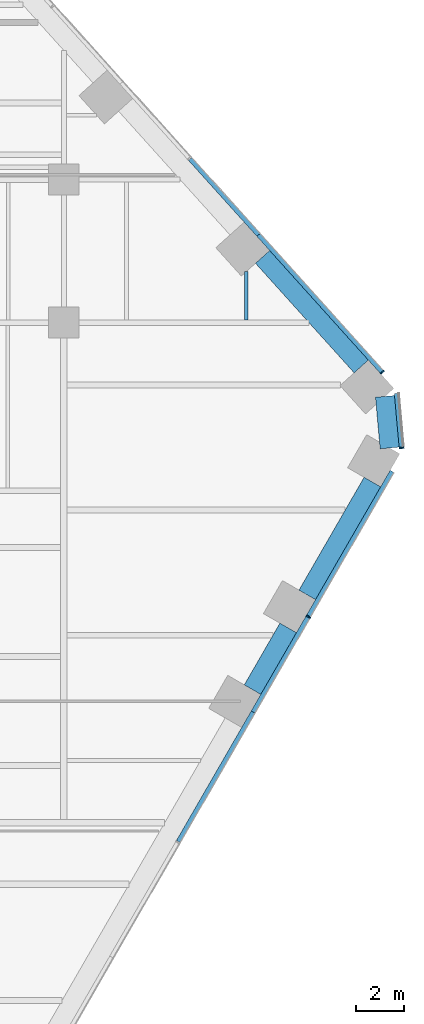
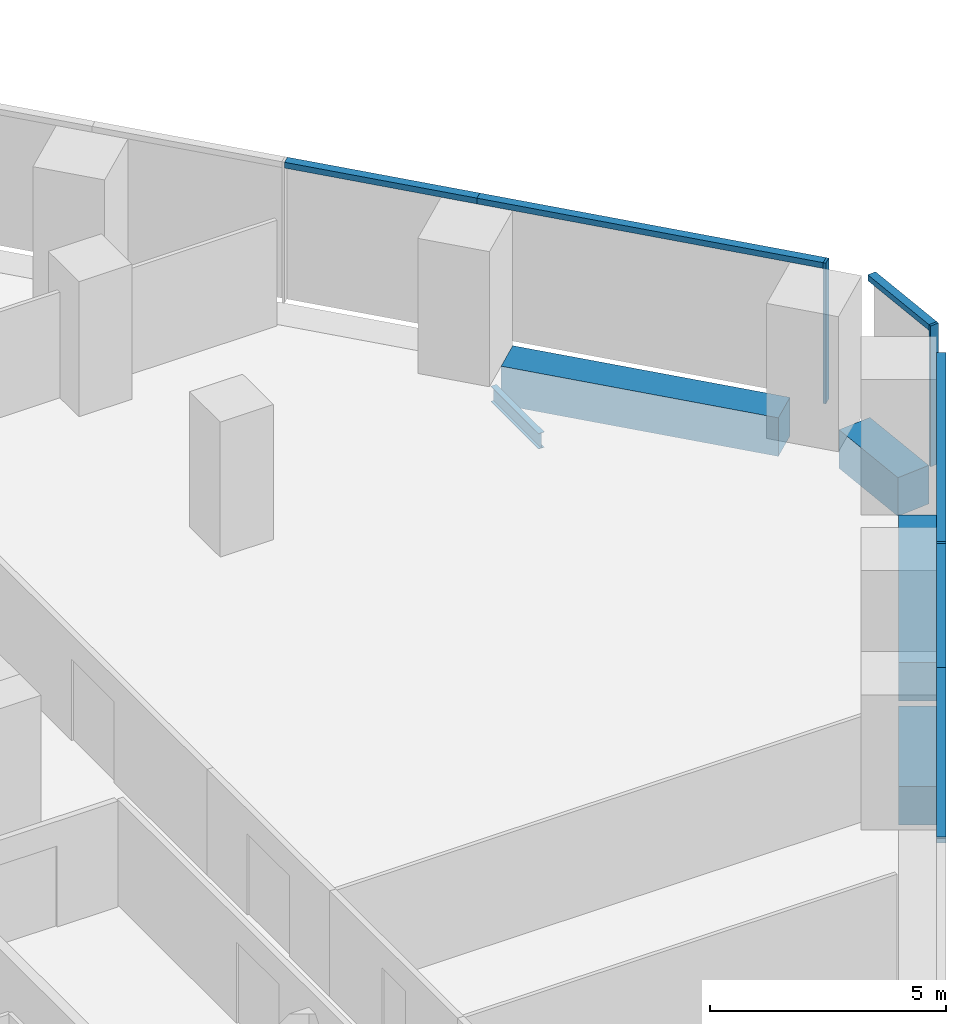
# One storey, part 11 of 21: 9 members, 5 beams, 3 elements without a shape of their own.
"""IFC4 building model written with IfcOpenShell, lengths in metres."""

from ifc_helpers import new_model, si_unit, direction, frame, origin, origin_2d, place, context, subcontext, project, spatial, rectangle, i_section, extrude, material, layer, layer_set, material_profile, profile_set, type_object, element, aggregate, save


model = new_model("IFC4")

# Units and contexts
model_context = context("Model", 3, precision=1e-05, world=origin(), true_north=direction((0.0, 1.0)))
body_context = subcontext(model_context, "Body", "Model", "MODEL_VIEW")
ifc_project = project(units=[si_unit("LENGTHUNIT", "METRE"), si_unit("AREAUNIT", "SQUARE_METRE"), si_unit("VOLUMEUNIT", "CUBIC_METRE"), si_unit("PLANEANGLEUNIT", "RADIAN"), si_unit("MASSUNIT", "GRAM", prefix="KILO")], contexts=[model_context])

# Site, building, storey
site_placement = place(None, origin())
site = spatial("IfcSite", under=ifc_project, at=site_placement, CompositionType="ELEMENT")
building_placement = place(site_placement, origin())
building = spatial("IfcBuilding", under=site, at=building_placement, Name="Isthmus Gate Tower", CompositionType="ELEMENT")
storey_placement = place(building_placement, frame((0.0, 0.0, 102.550048828125)))
storey = spatial("IfcBuildingStorey", under=building, at=storey_placement, Name="L24", CompositionType="ELEMENT", Elevation=102.550048828125)

# Curtain wall, member
ifc_material_1 = material(Name="Aluminium, pale champagne anodised", Category="aluminium")
ifc_layer = layer(ifc_material_1, 0.199951171875)
ifc_layer_set = layer_set([ifc_layer], Name="CW-1 UNITISED CURTAIN WALL 200 DEEP")
curtain_wall_type = type_object("IfcCurtainWallType", Name="CW-1 UNITISED CURTAIN WALL 200 DEEP", PredefinedType="NOTDEFINED", material=ifc_layer_set)
curtain_wall_1_placement = place(storey_placement, origin())
curtain_wall_1 = element("IfcCurtainWall", 1, at=curtain_wall_1_placement, inside=storey, type_object=curtain_wall_type, Name="CW-1 SE L24", PredefinedType="NOTDEFINED")
ifc_material_2 = material(Name="Aluminium, pale champagne anodised", Category="aluminium")
ifc_material_profile_1 = material_profile(ifc_material_2, rectangle(XDim=0.06005859375, YDim=0.199951171875, at=origin_2d()), Name="60x200")
ifc_profile_set_1 = profile_set([ifc_material_profile_1], Name="Aluminium, pale champagne anodised")
member_type_1 = type_object("IfcMemberType", Name="CW-1 MULLION 60 X 200", PredefinedType="MULLION", material=ifc_profile_set_1)
member_1_placement = place(storey_placement, frame((34.267822265625, -4.846435546875, 0.0), z_axis=(0.0, 0.0, 1.0), x_axis=(0.5, 0.866025403784, 0.0)))
member_1 = element("IfcMember", 2, at=member_1_placement, type_object=member_type_1, Name="CW-1 mullion", PredefinedType="MULLION", context=body_context, shape_type="SweptSolid", body=[
    extrude(rectangle(XDim=0.06005859375, YDim=0.199951171875, at=origin_2d()), origin(), (0.0, 0.0, 1.0), 3.64990234375),
])

curtain_wall_2_placement = place(storey_placement, origin())
curtain_wall_2 = element("IfcCurtainWall", 3, at=curtain_wall_2_placement, inside=storey, type_object=curtain_wall_type, Name="CW-1 SE-NE L24", PredefinedType="NOTDEFINED")
member_2_placement = place(storey_placement, frame((38.178955078125, 2.24169921875, 0.0), z_axis=(0.0, 0.0, 1.0), x_axis=(-0.089396669717, 0.995996102123, 0.0)))
member_2 = element("IfcMember", 4, at=member_2_placement, type_object=member_type_1, Name="CW-1 mullion", PredefinedType="MULLION", context=body_context, shape_type="SweptSolid", body=[
    extrude(rectangle(XDim=0.06005859375, YDim=0.199951171875, at=origin_2d()), origin(), (0.0, 0.0, 1.0), 3.64990234375),
])

curtain_wall_3_placement = place(storey_placement, origin())
curtain_wall_3 = element("IfcCurtainWall", 5, at=curtain_wall_3_placement, inside=storey, type_object=curtain_wall_type, Name="CW-1 NE L24", PredefinedType="NOTDEFINED")
member_3_placement = place(storey_placement, frame((37.37353515625, 5.419921875, 0.0), z_axis=(0.0, 0.0, 1.0), x_axis=(-0.669130606359, 0.743144825477, 0.0)))
member_3 = element("IfcMember", 6, at=member_3_placement, type_object=member_type_1, Name="CW-1 mullion", PredefinedType="MULLION", context=body_context, shape_type="SweptSolid", body=[
    extrude(rectangle(XDim=0.06005859375, YDim=0.199951171875, at=origin_2d()), origin(), (0.0, 0.0, 1.0), 3.64990234375),
])

# Member
ifc_material_3 = material(Name="Aluminium, pale champagne anodised", Category="aluminium")
ifc_material_profile_2 = material_profile(ifc_material_3, rectangle(XDim=0.199951171875, YDim=0.14990234375, at=origin_2d()), Name="200x150")
ifc_profile_set_2 = profile_set([ifc_material_profile_2], Name="Aluminium, pale champagne anodised")
member_type_2 = type_object("IfcMemberType", Name="CW-1 TRANSOM 200 X 150", PredefinedType="USERDEFINED", material=ifc_profile_set_2)
member_4_placement = place(storey_placement, frame((28.817138671875, -14.287353515625, 3.574951171875), z_axis=(0.499995104884, 0.866028229963, 0.0), x_axis=(-0.866028229963, 0.499995104884, 0.0)))
member_4 = element("IfcMember", 7, at=member_4_placement, type_object=member_type_2, Name="CW-1 transom", ObjectType="TRANSOM", PredefinedType="USERDEFINED", context=body_context, shape_type="SweptSolid", body=[
    extrude(rectangle(XDim=0.199951171875, YDim=0.14990234375, at=origin_2d()), origin(), (0.0, 0.0, 1.0), 6.2783203125),
])

member_5_placement = place(storey_placement, frame((31.956298828125, -8.85009765625, 3.574951171875), z_axis=(0.499992401796, 0.866029790565, 0.0), x_axis=(-0.866029790565, 0.499992401796, 0.0)))
member_5 = element("IfcMember", 8, at=member_5_placement, type_object=member_type_2, Name="CW-1 transom", ObjectType="TRANSOM", PredefinedType="USERDEFINED", context=body_context, shape_type="SweptSolid", body=[
    extrude(rectangle(XDim=0.199951171875, YDim=0.14990234375, at=origin_2d()), origin(), (0.0, 0.0, 1.0), 4.5927734375),
])

member_6_placement = place(storey_placement, frame((34.28271484375, -4.820556640625, 3.574951171875), z_axis=(0.500004847053, 0.866022605319, 0.0), x_axis=(-0.866022605319, 0.500004847053, 0.0)))
member_6 = element("IfcMember", 9, at=member_6_placement, type_object=member_type_2, Name="CW-1 transom", ObjectType="TRANSOM", PredefinedType="USERDEFINED", context=body_context, shape_type="SweptSolid", body=[
    extrude(rectangle(XDim=0.199951171875, YDim=0.14990234375, at=origin_2d()), origin(), (0.0, 0.0, 1.0), 7.009765625),
])

aggregate(curtain_wall_1, [member_4, member_5, member_1, member_6])

member_7_placement = place(storey_placement, frame((38.17626953125, 2.271728515625, 3.574951171875), z_axis=(-0.089395362867, 0.995996219419, 0.0), x_axis=(-0.995996219419, -0.089395362867, 0.0)))
member_7 = element("IfcMember", 10, at=member_7_placement, type_object=member_type_2, Name="CW-1 transom", ObjectType="TRANSOM", PredefinedType="USERDEFINED", context=body_context, shape_type="SweptSolid", body=[
    extrude(rectangle(XDim=0.199951171875, YDim=0.14990234375, at=origin_2d()), origin(), (0.0, 0.0, 1.0), 2.258544921875),
])

aggregate(curtain_wall_2, [member_2, member_7])

member_8_placement = place(storey_placement, frame((37.353515625, 5.4423828125, 3.574951171875), z_axis=(-0.669133991403, 0.743141777556, 0.0), x_axis=(-0.743141777556, -0.669133991403, 0.0)))
member_8 = element("IfcMember", 11, at=member_8_placement, type_object=member_type_2, Name="CW-1 transom", ObjectType="TRANSOM", PredefinedType="USERDEFINED", context=body_context, shape_type="SweptSolid", body=[
    extrude(rectangle(XDim=0.199951171875, YDim=0.14990234375, at=origin_2d()), origin(), (0.0, 0.0, 1.0), 7.729248046875),
])

member_9_placement = place(storey_placement, frame((32.181640625, 11.186279296875, 3.574951171875), z_axis=(-0.669131169216, 0.743144318678, 0.0), x_axis=(-0.743144318678, -0.669131169216, 0.0)))
member_9 = element("IfcMember", 12, at=member_9_placement, type_object=member_type_2, Name="CW-1 transom", ObjectType="TRANSOM", PredefinedType="USERDEFINED", context=body_context, shape_type="SweptSolid", body=[
    extrude(rectangle(XDim=0.199951171875, YDim=0.14990234375, at=origin_2d()), origin(), (0.0, 0.0, 1.0), 4.294677734375),
])

aggregate(curtain_wall_3, [member_3, member_8, member_9])

# Beams
ifc_material_4 = material(Name="Concrete f'c 70 MPa", Category="concrete")
ifc_material_profile_3 = material_profile(ifc_material_4, rectangle(XDim=0.800048828125, YDim=1.0, at=origin_2d()), Name="RC 800X1000")
ifc_profile_set_3 = profile_set([ifc_material_profile_3], Name="Concrete f'c 70 MPa")
beam_type_1 = type_object("IfcBeamType", Name="RC SPANDREL 800 X 1000", PredefinedType="SPANDREL", material=ifc_profile_set_3)
beam_1_placement = place(storey_placement, frame((32.34521484375, 10.25732421875, -0.5), z_axis=(0.669139054219, -0.743137218903, 0.0), x_axis=(0.743137218903, 0.669139054219, 0.0)))
element("IfcBeam", 13, at=beam_1_placement, inside=storey, type_object=beam_type_1, Name="str-spandrel-L24-04", PredefinedType="SPANDREL", context=body_context, shape_type="SweptSolid", body=[
    extrude(rectangle(XDim=0.800048828125, YDim=1.0, at=origin_2d()), origin(), (0.0, 0.0, 1.0), 6.189453125),
])
beam_2_placement = place(storey_placement, frame((37.483154296875, 4.40185546875, -0.5), z_axis=(0.089421511639, -0.995993872098, 0.0), x_axis=(0.995993872098, 0.089421511639, 0.0)))
element("IfcBeam", 14, at=beam_2_placement, inside=storey, type_object=beam_type_1, Name="str-spandrel-L24-05", PredefinedType="SPANDREL", context=body_context, shape_type="SweptSolid", body=[
    extrude(rectangle(XDim=0.800048828125, YDim=1.0, at=origin_2d()), origin(), (0.0, 0.0, 1.0), 2.17333984375),
])
beam_3_placement = place(storey_placement, frame((36.95458984375, 0.80712890625, -0.5), z_axis=(-0.500008371742, -0.866020570303, 0.0), x_axis=(0.866020570303, -0.500008371742, 0.0)))
element("IfcBeam", 15, at=beam_3_placement, inside=storey, type_object=beam_type_1, Name="str-spandrel-L24-06", PredefinedType="SPANDREL", context=body_context, shape_type="SweptSolid", body=[
    extrude(rectangle(XDim=0.800048828125, YDim=1.0, at=origin_2d()), origin(), (0.0, 0.0, 1.0), 5.4697265625),
])
beam_4_placement = place(storey_placement, frame((33.419677734375, -5.315185546875, -0.5), z_axis=(-0.499955472713, -0.866051110099, 0.0), x_axis=(0.866051110099, -0.499955472713, 0.0)))
element("IfcBeam", 16, at=beam_4_placement, inside=storey, type_object=beam_type_1, Name="str-spandrel-L24-07", PredefinedType="SPANDREL", context=body_context, shape_type="SweptSolid", body=[
    extrude(rectangle(XDim=0.800048828125, YDim=1.0, at=origin_2d()), origin(), (0.0, 0.0, 1.0), 2.992919921875),
])
ifc_material_5 = material(Name="Structural steel ASTM A992 Gr 50", Category="steel")
ifc_material_profile_4 = material_profile(ifc_material_5, i_section(OverallWidth=0.1396484375, OverallDepth=0.4033203125, WebThickness=0.00634765625, FlangeThickness=0.010986328125, at=origin_2d()), Name="W16X31")
ifc_profile_set_4 = profile_set([ifc_material_profile_4], Name="Structural steel ASTM A992 Gr 50")
beam_type_2 = type_object("IfcBeamType", Name="STEEL FLOOR BEAM W16X31", PredefinedType="JOIST", material=ifc_profile_set_4)
beam_5_placement = place(storey_placement, frame((31.666259765625, 7.6142578125, -0.3515625), z_axis=(0.0, 1.0, 0.0), x_axis=(-1.0, 0.0, 0.0)))
element("IfcBeam", 17, at=beam_5_placement, inside=storey, type_object=beam_type_2, Name="str-beam-L24-33-01", PredefinedType="JOIST", context=body_context, shape_type="SweptSolid", body=[
    extrude(i_section(OverallWidth=0.1396484375, OverallDepth=0.4033203125, WebThickness=0.00634765625, FlangeThickness=0.010986328125, at=origin_2d()), origin(), (0.0, 0.0, 1.0), 2.03173828125),
])

save(model, "model.ifc")
